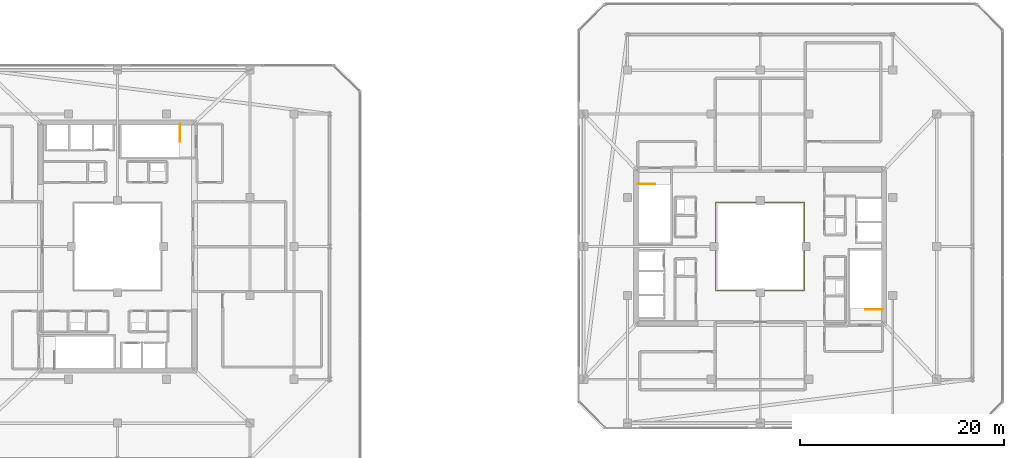
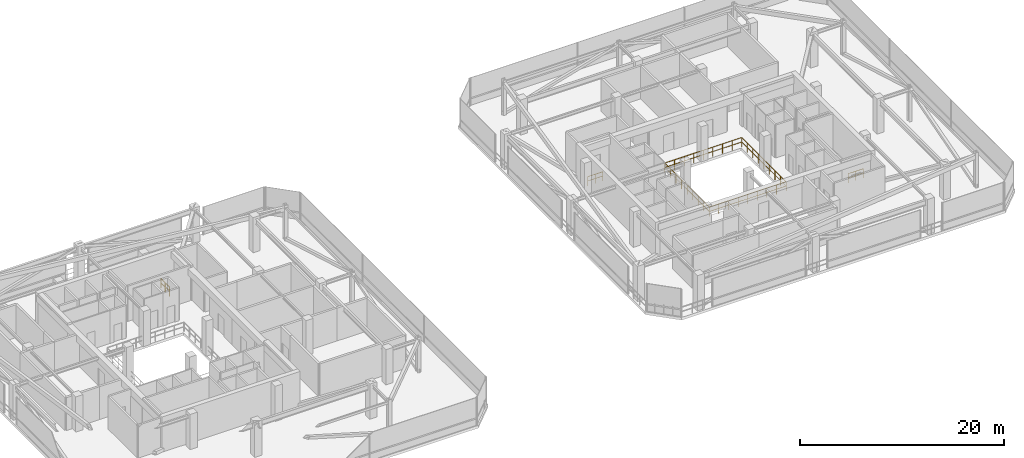
# One storey, part 47 of 47: 4 railings.
"""IFC4 building model written with IfcOpenShell, lengths in metres."""

from ifc_helpers import new_model, si_unit, direction, frame, origin, origin_2d, place, context, subcontext, project, spatial, rectangle, extrude, material, type_object, element, save


model = new_model("IFC4")

# Units and contexts
model_context = context("Model", 3, precision=1e-05, world=origin(), true_north=direction((0.0, 1.0)))
body_context = subcontext(model_context, "Body", "Model", "MODEL_VIEW")
ifc_project = project(units=[si_unit("LENGTHUNIT", "METRE"), si_unit("AREAUNIT", "SQUARE_METRE"), si_unit("VOLUMEUNIT", "CUBIC_METRE"), si_unit("PLANEANGLEUNIT", "RADIAN"), si_unit("MASSUNIT", "GRAM", prefix="KILO")], contexts=[model_context])

# Site, building, storey
site_placement = place(None, origin())
site = spatial("IfcSite", under=ifc_project, at=site_placement, CompositionType="ELEMENT")
building_placement = place(site_placement, origin())
building = spatial("IfcBuilding", under=site, at=building_placement, Name="Thornwick Lancets Civic Towers", CompositionType="ELEMENT")
storey_placement = place(building_placement, frame((0.0, 0.0, 279.89990234375)))
storey = spatial("IfcBuildingStorey", under=building, at=storey_placement, Name="C01", CompositionType="ELEMENT", Elevation=279.89990234375)

# Railings
ifc_material_1 = material(Name="Laminated glass and bronze steel S355", Category="steel")
railing_type_1 = type_object("IfcRailingType", Name="RAIL_ATRIUM_GUARD", PredefinedType="BALUSTRADE", material=ifc_material_1)
railing_1_placement = place(storey_placement, frame((84.159912109375, 22.659912109375, 0.0)))
element("IfcRailing", 1, at=railing_1_placement, inside=storey, type_object=railing_type_1, Name="C01 Tower B Central Atrium Guard Balustrade", PredefinedType="BALUSTRADE", context=body_context, shape_type="SweptSolid", body=[
    extrude(rectangle(XDim=0.048095703125, YDim=0.048095703125, at=origin_2d()), frame((0.0, 0.0, 1.1259765625), z_axis=(1.0, 0.0, 0.0), x_axis=(0.0, 1.0, 0.0)), (0.0, 0.0, 1.0), 8.64892578125),
    extrude(rectangle(XDim=0.0419921875, YDim=0.0419921875, at=origin_2d()), frame((0.03759765625, 0.0, 0.597900390625), z_axis=(1.0, 0.0, 0.0), x_axis=(0.0, 1.0, 0.0)), (0.0, 0.0, 1.0), 1.010009765625),
    extrude(rectangle(XDim=0.0419921875, YDim=0.0419921875, at=origin_2d()), frame((1.12255859375, 0.0, 0.597900390625), z_axis=(1.0, 0.0, 0.0), x_axis=(0.0, 1.0, 0.0)), (0.0, 0.0, 1.0), 1.010009765625),
    extrude(rectangle(XDim=0.0419921875, YDim=0.0419921875, at=origin_2d()), frame((2.20751953125, 0.0, 0.597900390625), z_axis=(1.0, 0.0, 0.0), x_axis=(0.0, 1.0, 0.0)), (0.0, 0.0, 1.0), 1.010009765625),
    extrude(rectangle(XDim=0.0419921875, YDim=0.0419921875, at=origin_2d()), frame((3.29248046875, 0.0, 0.597900390625), z_axis=(1.0, 0.0, 0.0), x_axis=(0.0, 1.0, 0.0)), (0.0, 0.0, 1.0), 1.010009765625),
    extrude(rectangle(XDim=0.0419921875, YDim=0.0419921875, at=origin_2d()), frame((4.377685546875, 0.0, 0.597900390625), z_axis=(1.0, 0.0, 0.0), x_axis=(0.0, 1.0, 0.0)), (0.0, 0.0, 1.0), 1.010009765625),
    extrude(rectangle(XDim=0.0419921875, YDim=0.0419921875, at=origin_2d()), frame((5.462646484375, 0.0, 0.597900390625), z_axis=(1.0, 0.0, 0.0), x_axis=(0.0, 1.0, 0.0)), (0.0, 0.0, 1.0), 1.010009765625),
    extrude(rectangle(XDim=0.0419921875, YDim=0.0419921875, at=origin_2d()), frame((6.547607421875, 0.0, 0.597900390625), z_axis=(1.0, 0.0, 0.0), x_axis=(0.0, 1.0, 0.0)), (0.0, 0.0, 1.0), 1.010009765625),
    extrude(rectangle(XDim=0.0419921875, YDim=0.0419921875, at=origin_2d()), frame((7.632568359375, 0.0, 0.597900390625), z_axis=(1.0, 0.0, 0.0), x_axis=(0.0, 1.0, 0.0)), (0.0, 0.0, 1.0), 1.010009765625),
    extrude(rectangle(XDim=0.048095703125, YDim=0.048095703125, at=origin_2d()), frame((8.68017578125, 0.03125, 1.1259765625), z_axis=(0.0, 1.0, 0.0), x_axis=(-1.0, 0.0, 0.0)), (0.0, 0.0, 1.0), 8.61767578125),
    extrude(rectangle(XDim=0.0419921875, YDim=0.0419921875, at=origin_2d()), frame((8.68017578125, 0.03759765625, 0.597900390625), z_axis=(0.0, 1.0, 0.0), x_axis=(-1.0, 0.0, 0.0)), (0.0, 0.0, 1.0), 1.010009765625),
    extrude(rectangle(XDim=0.0419921875, YDim=0.0419921875, at=origin_2d()), frame((8.68017578125, 1.12255859375, 0.597900390625), z_axis=(0.0, 1.0, 0.0), x_axis=(-1.0, 0.0, 0.0)), (0.0, 0.0, 1.0), 1.010009765625),
    extrude(rectangle(XDim=0.0419921875, YDim=0.0419921875, at=origin_2d()), frame((8.68017578125, 2.20751953125, 0.597900390625), z_axis=(0.0, 1.0, 0.0), x_axis=(-1.0, 0.0, 0.0)), (0.0, 0.0, 1.0), 1.010009765625),
    extrude(rectangle(XDim=0.0419921875, YDim=0.0419921875, at=origin_2d()), frame((8.68017578125, 3.29248046875, 0.597900390625), z_axis=(0.0, 1.0, 0.0), x_axis=(-1.0, 0.0, 0.0)), (0.0, 0.0, 1.0), 1.010009765625),
    extrude(rectangle(XDim=0.0419921875, YDim=0.0419921875, at=origin_2d()), frame((8.68017578125, 4.377685546875, 0.597900390625), z_axis=(0.0, 1.0, 0.0), x_axis=(-1.0, 0.0, 0.0)), (0.0, 0.0, 1.0), 1.010009765625),
    extrude(rectangle(XDim=0.0419921875, YDim=0.0419921875, at=origin_2d()), frame((8.68017578125, 5.462646484375, 0.597900390625), z_axis=(0.0, 1.0, 0.0), x_axis=(-1.0, 0.0, 0.0)), (0.0, 0.0, 1.0), 1.010009765625),
    extrude(rectangle(XDim=0.0419921875, YDim=0.0419921875, at=origin_2d()), frame((8.68017578125, 6.547607421875, 0.597900390625), z_axis=(0.0, 1.0, 0.0), x_axis=(-1.0, 0.0, 0.0)), (0.0, 0.0, 1.0), 1.010009765625),
    extrude(rectangle(XDim=0.0419921875, YDim=0.0419921875, at=origin_2d()), frame((8.68017578125, 7.632568359375, 0.597900390625), z_axis=(0.0, 1.0, 0.0), x_axis=(-1.0, 0.0, 0.0)), (0.0, 0.0, 1.0), 1.010009765625),
    extrude(rectangle(XDim=0.048095703125, YDim=0.048095703125, at=origin_2d()), frame((8.64892578125, 8.68017578125, 1.1259765625), z_axis=(-1.0, 0.0, 0.0), x_axis=(0.0, -1.0, 0.0)), (0.0, 0.0, 1.0), 8.61767578125),
    extrude(rectangle(XDim=0.0419921875, YDim=0.0419921875, at=origin_2d()), frame((8.642578125, 8.68017578125, 0.597900390625), z_axis=(-1.0, 0.0, 0.0), x_axis=(0.0, -1.0, 0.0)), (0.0, 0.0, 1.0), 1.010009765625),
    extrude(rectangle(XDim=0.0419921875, YDim=0.0419921875, at=origin_2d()), frame((7.5576171875, 8.68017578125, 0.597900390625), z_axis=(-1.0, 0.0, 0.0), x_axis=(0.0, -1.0, 0.0)), (0.0, 0.0, 1.0), 1.010009765625),
    extrude(rectangle(XDim=0.0419921875, YDim=0.0419921875, at=origin_2d()), frame((6.47265625, 8.68017578125, 0.597900390625), z_axis=(-1.0, 0.0, 0.0), x_axis=(0.0, -1.0, 0.0)), (0.0, 0.0, 1.0), 1.010009765625),
    extrude(rectangle(XDim=0.0419921875, YDim=0.0419921875, at=origin_2d()), frame((5.3876953125, 8.68017578125, 0.597900390625), z_axis=(-1.0, 0.0, 0.0), x_axis=(0.0, -1.0, 0.0)), (0.0, 0.0, 1.0), 1.010009765625),
    extrude(rectangle(XDim=0.0419921875, YDim=0.0419921875, at=origin_2d()), frame((4.302490234375, 8.68017578125, 0.597900390625), z_axis=(-1.0, 0.0, 0.0), x_axis=(0.0, -1.0, 0.0)), (0.0, 0.0, 1.0), 1.010009765625),
    extrude(rectangle(XDim=0.0419921875, YDim=0.0419921875, at=origin_2d()), frame((3.217529296875, 8.68017578125, 0.597900390625), z_axis=(-1.0, 0.0, 0.0), x_axis=(0.0, -1.0, 0.0)), (0.0, 0.0, 1.0), 1.010009765625),
    extrude(rectangle(XDim=0.0419921875, YDim=0.0419921875, at=origin_2d()), frame((2.132568359375, 8.68017578125, 0.597900390625), z_axis=(-1.0, 0.0, 0.0), x_axis=(0.0, -1.0, 0.0)), (0.0, 0.0, 1.0), 1.010009765625),
    extrude(rectangle(XDim=0.0419921875, YDim=0.0419921875, at=origin_2d()), frame((1.047607421875, 8.68017578125, 0.597900390625), z_axis=(-1.0, 0.0, 0.0), x_axis=(0.0, -1.0, 0.0)), (0.0, 0.0, 1.0), 1.010009765625),
    extrude(rectangle(XDim=0.048095703125, YDim=0.048095703125, at=origin_2d()), frame((0.0, 8.64892578125, 1.1259765625), z_axis=(0.0, -1.0, 0.0), x_axis=(1.0, 0.0, 0.0)), (0.0, 0.0, 1.0), 8.64892578125),
    extrude(rectangle(XDim=0.0419921875, YDim=0.0419921875, at=origin_2d()), frame((0.0, 8.642578125, 0.597900390625), z_axis=(0.0, -1.0, 0.0), x_axis=(1.0, 0.0, 0.0)), (0.0, 0.0, 1.0), 1.010009765625),
    extrude(rectangle(XDim=0.0419921875, YDim=0.0419921875, at=origin_2d()), frame((0.0, 7.5576171875, 0.597900390625), z_axis=(0.0, -1.0, 0.0), x_axis=(1.0, 0.0, 0.0)), (0.0, 0.0, 1.0), 1.010009765625),
    extrude(rectangle(XDim=0.0419921875, YDim=0.0419921875, at=origin_2d()), frame((0.0, 6.47265625, 0.597900390625), z_axis=(0.0, -1.0, 0.0), x_axis=(1.0, 0.0, 0.0)), (0.0, 0.0, 1.0), 1.010009765625),
    extrude(rectangle(XDim=0.0419921875, YDim=0.0419921875, at=origin_2d()), frame((0.0, 5.3876953125, 0.597900390625), z_axis=(0.0, -1.0, 0.0), x_axis=(1.0, 0.0, 0.0)), (0.0, 0.0, 1.0), 1.010009765625),
    extrude(rectangle(XDim=0.0419921875, YDim=0.0419921875, at=origin_2d()), frame((0.0, 4.302490234375, 0.597900390625), z_axis=(0.0, -1.0, 0.0), x_axis=(1.0, 0.0, 0.0)), (0.0, 0.0, 1.0), 1.010009765625),
    extrude(rectangle(XDim=0.0419921875, YDim=0.0419921875, at=origin_2d()), frame((0.0, 3.217529296875, 0.597900390625), z_axis=(0.0, -1.0, 0.0), x_axis=(1.0, 0.0, 0.0)), (0.0, 0.0, 1.0), 1.010009765625),
    extrude(rectangle(XDim=0.0419921875, YDim=0.0419921875, at=origin_2d()), frame((0.0, 2.132568359375, 0.597900390625), z_axis=(0.0, -1.0, 0.0), x_axis=(1.0, 0.0, 0.0)), (0.0, 0.0, 1.0), 1.010009765625),
    extrude(rectangle(XDim=0.0419921875, YDim=0.0419921875, at=origin_2d()), frame((0.0, 1.047607421875, 0.597900390625), z_axis=(0.0, -1.0, 0.0), x_axis=(1.0, 0.0, 0.0)), (0.0, 0.0, 1.0), 1.010009765625),
    extrude(rectangle(XDim=0.0419921875, YDim=0.0419921875, at=origin_2d()), origin(), (0.0, 0.0, 1.0), 1.095703125),
    extrude(rectangle(XDim=0.0419921875, YDim=0.0419921875, at=origin_2d()), frame((1.0849609375, 0.0, 0.0)), (0.0, 0.0, 1.0), 1.095703125),
    extrude(rectangle(XDim=0.0419921875, YDim=0.0419921875, at=origin_2d()), frame((2.169921875, 0.0, 0.0)), (0.0, 0.0, 1.0), 1.095703125),
    extrude(rectangle(XDim=0.0419921875, YDim=0.0419921875, at=origin_2d()), frame((3.255126953125, 0.0, 0.0)), (0.0, 0.0, 1.0), 1.095703125),
    extrude(rectangle(XDim=0.0419921875, YDim=0.0419921875, at=origin_2d()), frame((4.340087890625, 0.0, 0.0)), (0.0, 0.0, 1.0), 1.095703125),
    extrude(rectangle(XDim=0.0419921875, YDim=0.0419921875, at=origin_2d()), frame((5.425048828125, 0.0, 0.0)), (0.0, 0.0, 1.0), 1.095703125),
    extrude(rectangle(XDim=0.0419921875, YDim=0.0419921875, at=origin_2d()), frame((6.51025390625, 0.0, 0.0)), (0.0, 0.0, 1.0), 1.095703125),
    extrude(rectangle(XDim=0.0419921875, YDim=0.0419921875, at=origin_2d()), frame((7.59521484375, 0.0, 0.0)), (0.0, 0.0, 1.0), 1.095703125),
    extrude(rectangle(XDim=0.0419921875, YDim=0.0419921875, at=origin_2d()), frame((8.68017578125, 0.0, 0.0)), (0.0, 0.0, 1.0), 1.095703125),
    extrude(rectangle(XDim=0.0419921875, YDim=0.0419921875, at=origin_2d()), frame((8.68017578125, 1.0849609375, 0.0)), (0.0, 0.0, 1.0), 1.095703125),
    extrude(rectangle(XDim=0.0419921875, YDim=0.0419921875, at=origin_2d()), frame((8.68017578125, 2.169921875, 0.0)), (0.0, 0.0, 1.0), 1.095703125),
    extrude(rectangle(XDim=0.0419921875, YDim=0.0419921875, at=origin_2d()), frame((8.68017578125, 3.255126953125, 0.0)), (0.0, 0.0, 1.0), 1.095703125),
    extrude(rectangle(XDim=0.0419921875, YDim=0.0419921875, at=origin_2d()), frame((8.68017578125, 4.340087890625, 0.0)), (0.0, 0.0, 1.0), 1.095703125),
    extrude(rectangle(XDim=0.0419921875, YDim=0.0419921875, at=origin_2d()), frame((8.68017578125, 5.425048828125, 0.0)), (0.0, 0.0, 1.0), 1.095703125),
    extrude(rectangle(XDim=0.0419921875, YDim=0.0419921875, at=origin_2d()), frame((8.68017578125, 6.51025390625, 0.0)), (0.0, 0.0, 1.0), 1.095703125),
    extrude(rectangle(XDim=0.0419921875, YDim=0.0419921875, at=origin_2d()), frame((8.68017578125, 7.59521484375, 0.0)), (0.0, 0.0, 1.0), 1.095703125),
    extrude(rectangle(XDim=0.0419921875, YDim=0.0419921875, at=origin_2d()), frame((8.68017578125, 8.68017578125, 0.0)), (0.0, 0.0, 1.0), 1.095703125),
    extrude(rectangle(XDim=0.0419921875, YDim=0.0419921875, at=origin_2d()), frame((7.59521484375, 8.68017578125, 0.0)), (0.0, 0.0, 1.0), 1.095703125),
    extrude(rectangle(XDim=0.0419921875, YDim=0.0419921875, at=origin_2d()), frame((6.51025390625, 8.68017578125, 0.0)), (0.0, 0.0, 1.0), 1.095703125),
    extrude(rectangle(XDim=0.0419921875, YDim=0.0419921875, at=origin_2d()), frame((5.425048828125, 8.68017578125, 0.0)), (0.0, 0.0, 1.0), 1.095703125),
    extrude(rectangle(XDim=0.0419921875, YDim=0.0419921875, at=origin_2d()), frame((4.340087890625, 8.68017578125, 0.0)), (0.0, 0.0, 1.0), 1.095703125),
    extrude(rectangle(XDim=0.0419921875, YDim=0.0419921875, at=origin_2d()), frame((3.255126953125, 8.68017578125, 0.0)), (0.0, 0.0, 1.0), 1.095703125),
    extrude(rectangle(XDim=0.0419921875, YDim=0.0419921875, at=origin_2d()), frame((2.169921875, 8.68017578125, 0.0)), (0.0, 0.0, 1.0), 1.095703125),
    extrude(rectangle(XDim=0.0419921875, YDim=0.0419921875, at=origin_2d()), frame((1.0849609375, 8.68017578125, 0.0)), (0.0, 0.0, 1.0), 1.095703125),
    extrude(rectangle(XDim=0.0419921875, YDim=0.0419921875, at=origin_2d()), frame((0.0, 8.68017578125, 0.0)), (0.0, 0.0, 1.0), 1.095703125),
    extrude(rectangle(XDim=0.0419921875, YDim=0.0419921875, at=origin_2d()), frame((0.0, 7.59521484375, 0.0)), (0.0, 0.0, 1.0), 1.095703125),
    extrude(rectangle(XDim=0.0419921875, YDim=0.0419921875, at=origin_2d()), frame((0.0, 6.51025390625, 0.0)), (0.0, 0.0, 1.0), 1.095703125),
    extrude(rectangle(XDim=0.0419921875, YDim=0.0419921875, at=origin_2d()), frame((0.0, 5.425048828125, 0.0)), (0.0, 0.0, 1.0), 1.095703125),
    extrude(rectangle(XDim=0.0419921875, YDim=0.0419921875, at=origin_2d()), frame((0.0, 4.340087890625, 0.0)), (0.0, 0.0, 1.0), 1.095703125),
    extrude(rectangle(XDim=0.0419921875, YDim=0.0419921875, at=origin_2d()), frame((0.0, 3.255126953125, 0.0)), (0.0, 0.0, 1.0), 1.095703125),
    extrude(rectangle(XDim=0.0419921875, YDim=0.0419921875, at=origin_2d()), frame((0.0, 2.169921875, 0.0)), (0.0, 0.0, 1.0), 1.095703125),
    extrude(rectangle(XDim=0.0419921875, YDim=0.0419921875, at=origin_2d()), frame((0.0, 1.0849609375, 0.0)), (0.0, 0.0, 1.0), 1.095703125),
])
ifc_material_2 = material(Name="Steel S355JR", Category="steel")
railing_type_2 = type_object("IfcRailingType", Name="RAIL_STAIR_GUARD", PredefinedType="GUARDRAIL", material=ifc_material_2)
railing_2_placement = place(storey_placement, frame((31.64990234375, 39.0, 0.0)))
element("IfcRailing", 2, at=railing_2_placement, inside=storey, type_object=railing_type_2, Name="C01 ST-A2 top well guard 1", PredefinedType="GUARDRAIL", context=body_context, shape_type="SweptSolid", body=[
    extrude(rectangle(XDim=0.048095703125, YDim=0.048095703125, at=origin_2d()), frame((0.0, 0.0, 1.076171875), z_axis=(0.0, -1.0, 0.0), x_axis=(1.0, 0.0, 0.0)), (0.0, 0.0, 1.0), 1.699951171875),
    extrude(rectangle(XDim=0.0419921875, YDim=0.0419921875, at=origin_2d()), frame((0.0, -0.03759765625, 0.572021484375), z_axis=(0.0, -1.0, 0.0), x_axis=(1.0, 0.0, 0.0)), (0.0, 0.0, 1.0), 0.77490234375),
    extrude(rectangle(XDim=0.0419921875, YDim=0.0419921875, at=origin_2d()), frame((0.0, -0.887451171875, 0.572021484375), z_axis=(0.0, -1.0, 0.0), x_axis=(1.0, 0.0, 0.0)), (0.0, 0.0, 1.0), 0.77490234375),
    extrude(rectangle(XDim=0.0419921875, YDim=0.0419921875, at=origin_2d()), origin(), (0.0, 0.0, 1.0), 1.0458984375),
    extrude(rectangle(XDim=0.0419921875, YDim=0.0419921875, at=origin_2d()), frame((0.0, -0.85009765625, 0.0)), (0.0, 0.0, 1.0), 1.0458984375),
    extrude(rectangle(XDim=0.0419921875, YDim=0.0419921875, at=origin_2d()), frame((0.0, -1.699951171875, 0.0)), (0.0, 0.0, 1.0), 1.0458984375),
])
railing_3_placement = place(storey_placement, frame((100.5, 20.85009765625, 0.0)))
element("IfcRailing", 3, at=railing_3_placement, inside=storey, type_object=railing_type_2, Name="C01 ST-B1 top well guard 1", PredefinedType="GUARDRAIL", context=body_context, shape_type="SweptSolid", body=[
    extrude(rectangle(XDim=0.048095703125, YDim=0.048095703125, at=origin_2d()), frame((0.0, 0.0, 1.076171875), z_axis=(-1.0, 0.0, 0.0), x_axis=(0.0, -1.0, 0.0)), (0.0, 0.0, 1.0), 1.699951171875),
    extrude(rectangle(XDim=0.0419921875, YDim=0.0419921875, at=origin_2d()), frame((-0.03759765625, 0.0, 0.572021484375), z_axis=(-1.0, 0.0, 0.0), x_axis=(0.0, -1.0, 0.0)), (0.0, 0.0, 1.0), 0.77490234375),
    extrude(rectangle(XDim=0.0419921875, YDim=0.0419921875, at=origin_2d()), frame((-0.887451171875, 0.0, 0.572021484375), z_axis=(-1.0, 0.0, 0.0), x_axis=(0.0, -1.0, 0.0)), (0.0, 0.0, 1.0), 0.77490234375),
    extrude(rectangle(XDim=0.0419921875, YDim=0.0419921875, at=origin_2d()), origin(), (0.0, 0.0, 1.0), 1.0458984375),
    extrude(rectangle(XDim=0.0419921875, YDim=0.0419921875, at=origin_2d()), frame((-0.85009765625, 0.0, 0.0)), (0.0, 0.0, 1.0), 1.0458984375),
    extrude(rectangle(XDim=0.0419921875, YDim=0.0419921875, at=origin_2d()), frame((-1.699951171875, 0.0, 0.0)), (0.0, 0.0, 1.0), 1.0458984375),
])
railing_4_placement = place(storey_placement, frame((76.5, 33.14990234375, 0.0)))
element("IfcRailing", 4, at=railing_4_placement, inside=storey, type_object=railing_type_2, Name="C01 ST-B2 top well guard 1", PredefinedType="GUARDRAIL", context=body_context, shape_type="SweptSolid", body=[
    extrude(rectangle(XDim=0.048095703125, YDim=0.048095703125, at=origin_2d()), frame((0.0, 0.0, 1.076171875), z_axis=(1.0, 0.0, 0.0), x_axis=(0.0, 1.0, 0.0)), (0.0, 0.0, 1.0), 1.699951171875),
    extrude(rectangle(XDim=0.0419921875, YDim=0.0419921875, at=origin_2d()), frame((0.03759765625, 0.0, 0.572021484375), z_axis=(1.0, 0.0, 0.0), x_axis=(0.0, 1.0, 0.0)), (0.0, 0.0, 1.0), 0.77490234375),
    extrude(rectangle(XDim=0.0419921875, YDim=0.0419921875, at=origin_2d()), frame((0.887451171875, 0.0, 0.572021484375), z_axis=(1.0, 0.0, 0.0), x_axis=(0.0, 1.0, 0.0)), (0.0, 0.0, 1.0), 0.77490234375),
    extrude(rectangle(XDim=0.0419921875, YDim=0.0419921875, at=origin_2d()), origin(), (0.0, 0.0, 1.0), 1.0458984375),
    extrude(rectangle(XDim=0.0419921875, YDim=0.0419921875, at=origin_2d()), frame((0.85009765625, 0.0, 0.0)), (0.0, 0.0, 1.0), 1.0458984375),
    extrude(rectangle(XDim=0.0419921875, YDim=0.0419921875, at=origin_2d()), frame((1.699951171875, 0.0, 0.0)), (0.0, 0.0, 1.0), 1.0458984375),
])

save(model, "model.ifc")
